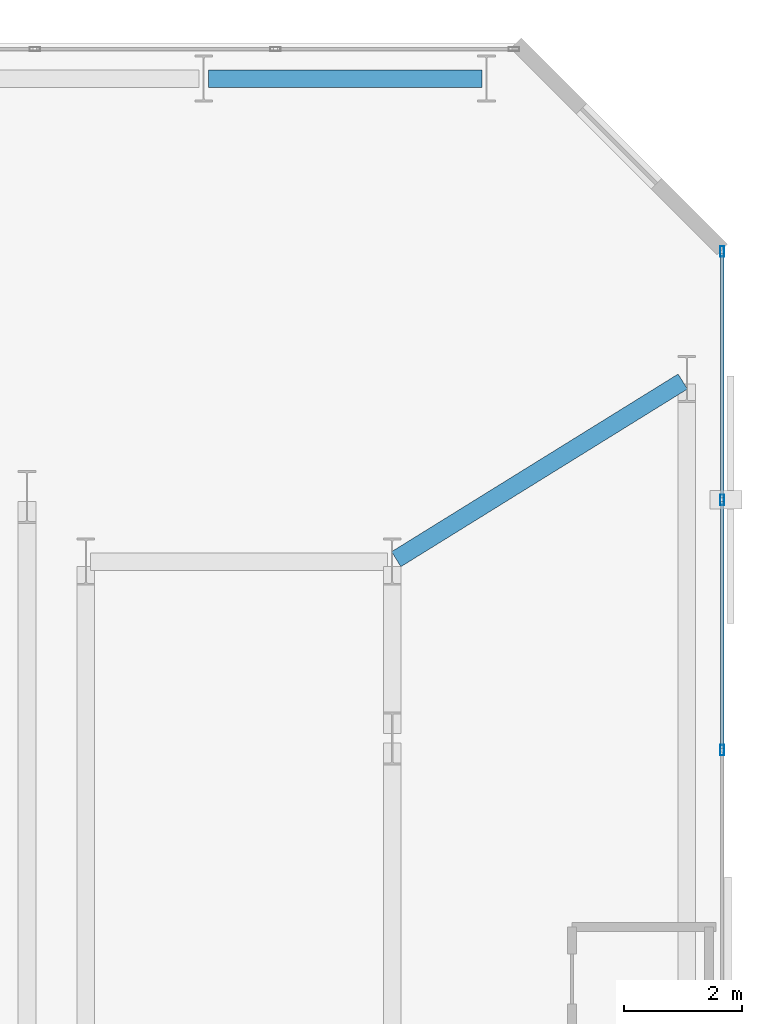
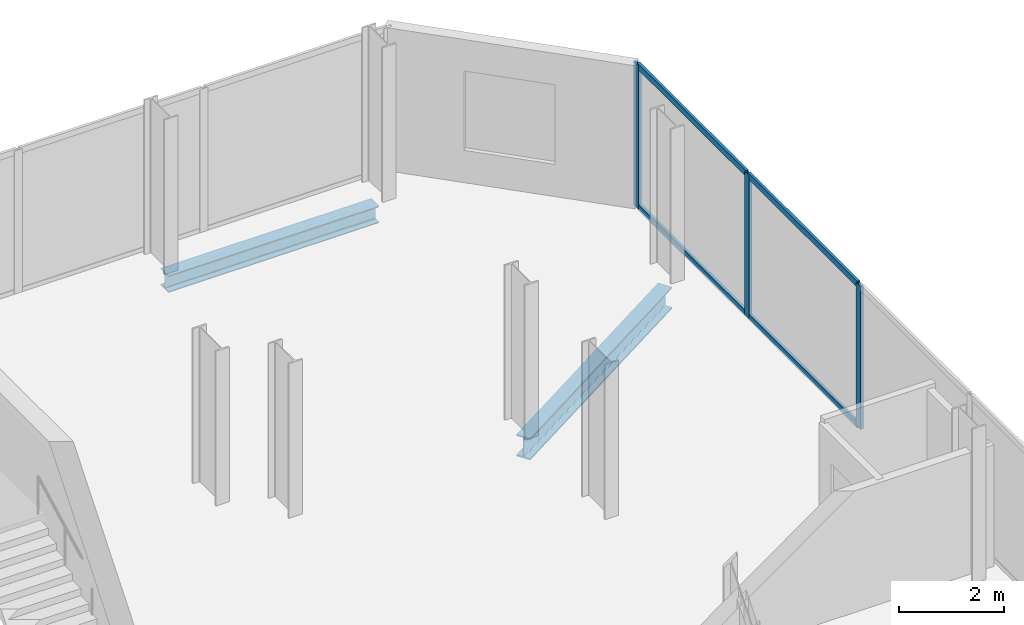
# One storey, part 24 of 32: 7 members, 2 beams, 1 element without a shape of its own.
"""IFC4 building model written with IfcOpenShell, lengths in metres."""

from ifc_helpers import new_model, si_unit, direction, frame, origin, origin_2d, place, context, subcontext, project, spatial, hollow_rectangle, i_section, extrude, material, layer, layer_set, material_profile, profile_set, type_object, element, aggregate, save


model = new_model("IFC4")

# Units and contexts
model_context = context("Model", 3, precision=1e-05, world=origin(), true_north=direction((0.0, 1.0)))
body_context = subcontext(model_context, "Body", "Model", "MODEL_VIEW")
ifc_project = project(units=[si_unit("LENGTHUNIT", "METRE"), si_unit("AREAUNIT", "SQUARE_METRE"), si_unit("VOLUMEUNIT", "CUBIC_METRE"), si_unit("PLANEANGLEUNIT", "RADIAN"), si_unit("MASSUNIT", "GRAM", prefix="KILO")], contexts=[model_context])

# Site, building, storey
site_placement = place(None, origin())
site = spatial("IfcSite", under=ifc_project, at=site_placement, CompositionType="ELEMENT")
building_placement = place(site_placement, origin())
building = spatial("IfcBuilding", under=site, at=building_placement, Name="Catumbela Crestline Tower", CompositionType="ELEMENT")
storey_placement = place(building_placement, frame((0.0, 0.0, 65.4)))
storey = spatial("IfcBuildingStorey", under=building, at=storey_placement, Name="L16", CompositionType="ELEMENT", Elevation=65.4)

# Beam
ifc_material_1 = material(Name="Structural steel S355J2", Category="steel")
ifc_material_profile_1 = material_profile(ifc_material_1, i_section(OverallWidth=0.3, OverallDepth=0.5, WebThickness=0.0145, FlangeThickness=0.028, FilletRadius=0.027, at=origin_2d()), Name="HEB 500")
ifc_profile_set_1 = profile_set([ifc_material_profile_1], Name="Structural steel S355J2")
beam_type_1 = type_object("IfcBeamType", Name="BG-HEB500", PredefinedType="BEAM", material=ifc_profile_set_1)
beam_1_placement = place(storey_placement, frame((50.468, 39.2422, -0.51), z_axis=(0.849908952007, 0.526929571479, 0.0), x_axis=(-0.526929571479, 0.849908952007, 0.0)))
element("IfcBeam", 1, at=beam_1_placement, inside=storey, type_object=beam_type_1, Name="L16 Beam BM-L16-N18", PredefinedType="BEAM", context=body_context, shape_type="SweptSolid", body=[
    extrude(i_section(OverallWidth=0.3, OverallDepth=0.5, WebThickness=0.0145, FlangeThickness=0.028, FilletRadius=0.027, at=origin_2d()), origin(), (0.0, 0.0, 1.0), 5.723),
])

# Curtain wall, members
ifc_material_2 = material(Name="Aluminium alloy AW-6060-T66", Category="aluminium")
ifc_layer = layer(ifc_material_2, 0.18, Name="Aluminium alloy AW-6060-T66")
ifc_layer_set = layer_set([ifc_layer], Name="Aluminium alloy AW-6060-T66")
curtain_wall_type = type_object("IfcCurtainWallType", Name="CWU-Z1", PredefinedType="USERDEFINED", material=ifc_layer_set)
curtain_wall_placement = place(storey_placement, origin())
curtain_wall = element("IfcCurtainWall", 2, at=curtain_wall_placement, inside=storey, type_object=curtain_wall_type, Name="L16 Unitised Curtain Wall CW-L16-E5S1", ObjectType="UNITISED", PredefinedType="USERDEFINED")
ifc_material_profile_2 = material_profile(ifc_material_2, hollow_rectangle(XDim=0.065, YDim=0.18, WallThickness=0.004, at=origin_2d()), Name="ALU 180x65x4")
ifc_profile_set_2 = profile_set([ifc_material_profile_2], Name="Aluminium alloy AW-6060-T66")
member_type_1 = type_object("IfcMemberType", Name="MUL-180X65", PredefinedType="MULLION", material=ifc_profile_set_2)
member_1_placement = place(storey_placement, frame((56.0, 36.0, 0.0), z_axis=(0.0, 0.0, 1.0), x_axis=(-1.0, 0.0, 0.0)))
member_1 = element("IfcMember", 3, at=member_1_placement, type_object=member_type_1, Name="CWU-Z1 mullion 3", PredefinedType="MULLION", context=body_context, shape_type="SweptSolid", body=[
    extrude(hollow_rectangle(XDim=0.065, YDim=0.18, WallThickness=0.004, at=origin_2d()), origin(), (0.0, 0.0, 1.0), 3.33),
])
member_2_placement = place(storey_placement, frame((56.0, 40.25, 0.0), z_axis=(0.0, 0.0, 1.0), x_axis=(-1.0, 0.0, 0.0)))
member_2 = element("IfcMember", 4, at=member_2_placement, type_object=member_type_1, Name="CWU-Z1 mullion 4", PredefinedType="MULLION", context=body_context, shape_type="SweptSolid", body=[
    extrude(hollow_rectangle(XDim=0.065, YDim=0.18, WallThickness=0.004, at=origin_2d()), origin(), (0.0, 0.0, 1.0), 3.33),
])
member_3_placement = place(storey_placement, frame((56.0, 44.4675, 0.0), z_axis=(0.0, 0.0, 1.0), x_axis=(-1.0, 0.0, 0.0)))
member_3 = element("IfcMember", 5, at=member_3_placement, type_object=member_type_1, Name="CWU-Z1 mullion 5", PredefinedType="MULLION", context=body_context, shape_type="SweptSolid", body=[
    extrude(hollow_rectangle(XDim=0.065, YDim=0.18, WallThickness=0.004, at=origin_2d()), origin(), (0.0, 0.0, 1.0), 3.33),
])

# Beam
ifc_material_profile_3 = material_profile(ifc_material_1, i_section(OverallWidth=0.3, OverallDepth=0.39, WebThickness=0.011, FlangeThickness=0.019, FilletRadius=0.027, at=origin_2d()), Name="HEA 400")
ifc_profile_set_3 = profile_set([ifc_material_profile_3], Name="Structural steel S355J2")
beam_type_2 = type_object("IfcBeamType", Name="BS-HEA400", PredefinedType="SPANDREL", material=ifc_profile_set_3)
beam_2_placement = place(storey_placement, frame((47.28, 47.4, -0.455), z_axis=(1.0, 0.0, 0.0), x_axis=(0.0, 1.0, 0.0)))
element("IfcBeam", 6, at=beam_2_placement, inside=storey, type_object=beam_type_2, Name="L16 Spandrel SP-L16-NF24", PredefinedType="SPANDREL", context=body_context, shape_type="SweptSolid", body=[
    extrude(i_section(OverallWidth=0.3, OverallDepth=0.39, WebThickness=0.011, FlangeThickness=0.019, FilletRadius=0.027, at=origin_2d()), origin(), (0.0, 0.0, 1.0), 4.64),
])

# Member
ifc_material_profile_4 = material_profile(ifc_material_2, hollow_rectangle(XDim=0.06, YDim=0.14, WallThickness=0.004, at=origin_2d()), Name="ALU 140x60x4")
ifc_profile_set_4 = profile_set([ifc_material_profile_4], Name="Aluminium alloy AW-6060-T66")
member_type_2 = type_object("IfcMemberType", Name="TRN-140X60", PredefinedType="USERDEFINED", material=ifc_profile_set_4)
member_4_placement = place(storey_placement, frame((56.0, 36.0325, 0.03), z_axis=(0.0, 1.0, 0.0), x_axis=(-1.0, 0.0, 0.0)))
member_4 = element("IfcMember", 7, at=member_4_placement, type_object=member_type_2, Name="CWU-Z1 transom 3.1", ObjectType="TRANSOM", PredefinedType="USERDEFINED", context=body_context, shape_type="SweptSolid", body=[
    extrude(hollow_rectangle(XDim=0.06, YDim=0.14, WallThickness=0.004, at=origin_2d()), origin(), (0.0, 0.0, 1.0), 4.185),
])

member_5_placement = place(storey_placement, frame((56.0, 36.0325, 3.3), z_axis=(0.0, 1.0, 0.0), x_axis=(-1.0, 0.0, 0.0)))
member_5 = element("IfcMember", 8, at=member_5_placement, type_object=member_type_2, Name="CWU-Z1 transom 3.2", ObjectType="TRANSOM", PredefinedType="USERDEFINED", context=body_context, shape_type="SweptSolid", body=[
    extrude(hollow_rectangle(XDim=0.06, YDim=0.14, WallThickness=0.004, at=origin_2d()), origin(), (0.0, 0.0, 1.0), 4.185),
])

member_6_placement = place(storey_placement, frame((56.0, 40.2825, 0.03), z_axis=(0.0, 1.0, 0.0), x_axis=(-1.0, 0.0, 0.0)))
member_6 = element("IfcMember", 9, at=member_6_placement, type_object=member_type_2, Name="CWU-Z1 transom 4.1", ObjectType="TRANSOM", PredefinedType="USERDEFINED", context=body_context, shape_type="SweptSolid", body=[
    extrude(hollow_rectangle(XDim=0.06, YDim=0.14, WallThickness=0.004, at=origin_2d()), origin(), (0.0, 0.0, 1.0), 4.1525),
])

member_7_placement = place(storey_placement, frame((56.0, 40.2825, 3.3), z_axis=(0.0, 1.0, 0.0), x_axis=(-1.0, 0.0, 0.0)))
member_7 = element("IfcMember", 10, at=member_7_placement, type_object=member_type_2, Name="CWU-Z1 transom 4.2", ObjectType="TRANSOM", PredefinedType="USERDEFINED", context=body_context, shape_type="SweptSolid", body=[
    extrude(hollow_rectangle(XDim=0.06, YDim=0.14, WallThickness=0.004, at=origin_2d()), origin(), (0.0, 0.0, 1.0), 4.1525),
])

aggregate(curtain_wall, [member_1, member_2, member_3, member_4, member_5, member_6, member_7])

save(model, "model.ifc")
